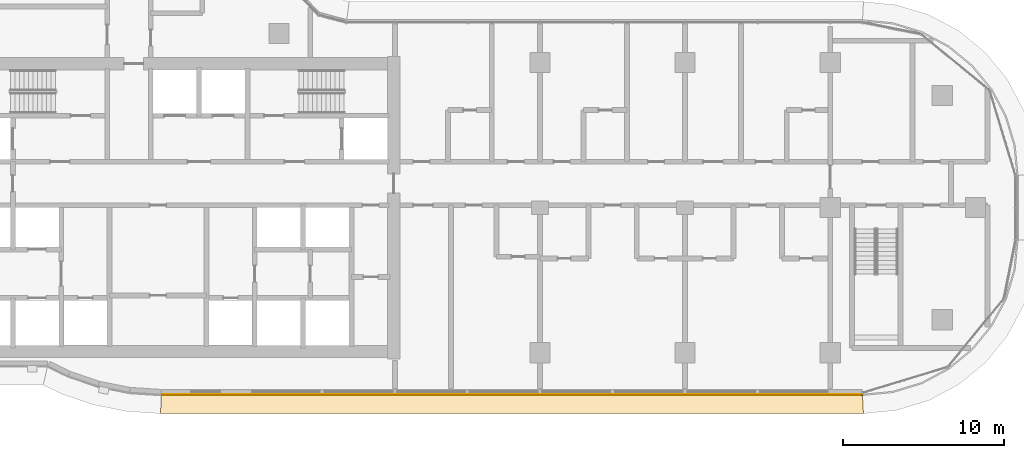
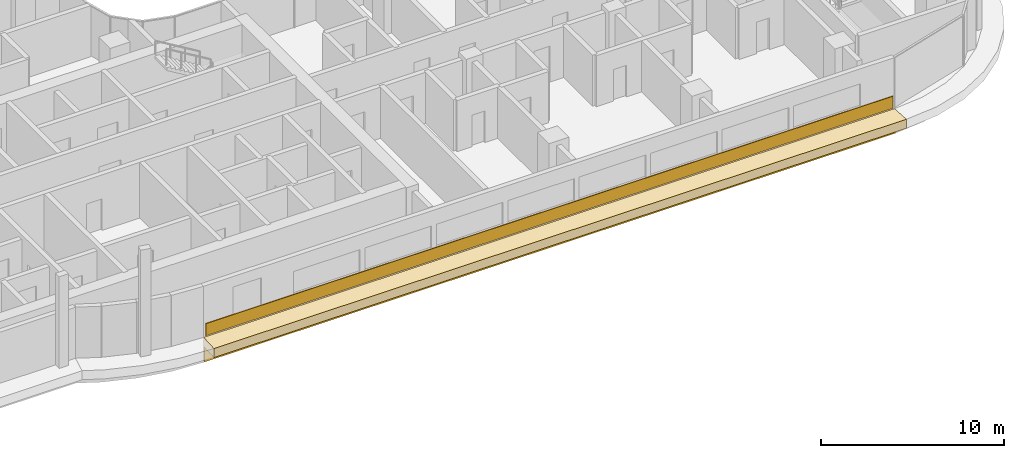
# One storey, part 21 of 25: 3 coverings.
"""IFC4 building model written with IfcOpenShell, lengths in metres."""

from ifc_helpers import new_model, si_unit, direction, frame, origin, origin_2d, place, context, subcontext, project, spatial, polyline, rectangle, outline, extrude, material, layer, layer_set, type_object, element, save


model = new_model("IFC4")

# Units and contexts
model_context = context("Model", 3, precision=1e-05, world=origin(), true_north=direction((0.0, 1.0)))
body_context = subcontext(model_context, "Body", "Model", "MODEL_VIEW")
ifc_project = project(units=[si_unit("LENGTHUNIT", "METRE"), si_unit("AREAUNIT", "SQUARE_METRE"), si_unit("VOLUMEUNIT", "CUBIC_METRE"), si_unit("PLANEANGLEUNIT", "RADIAN"), si_unit("MASSUNIT", "GRAM", prefix="KILO")], contexts=[model_context])

# Site, building, storey
site_placement = place(None, origin())
site = spatial("IfcSite", under=ifc_project, at=site_placement, CompositionType="ELEMENT")
building_placement = place(site_placement, origin())
building = spatial("IfcBuilding", under=site, at=building_placement, Name="Ogive Portal Towers", CompositionType="ELEMENT")
storey_placement = place(building_placement, frame((0.0, 0.0, 116.699951171875)))
storey = spatial("IfcBuildingStorey", under=building, at=storey_placement, Name="L28", CompositionType="ELEMENT", Elevation=116.699951171875)

# Coverings
ifc_material = material(Name="Limestone cladding on lightweight block wall", Category="masonry")
ifc_layer_1 = layer(ifc_material, 0.050048828125)
ifc_layer_set_1 = layer_set([ifc_layer_1], Name="SCREEN PERFORATED STONE")
covering_type_1 = type_object("IfcCoveringType", Name="SCREEN PERFORATED STONE", PredefinedType="CLADDING", material=ifc_layer_set_1)
covering_1_placement = place(storey_placement, frame((65.7490234375, 18.89990234375, 0.10009765625), z_axis=(0.0, 0.0, 1.0), x_axis=(1.0, 0.0, 0.0)))
element("IfcCovering", 1, at=covering_1_placement, inside=storey, type_object=covering_type_1, Name="Tracery screen", PredefinedType="CLADDING", context=body_context, shape_type="SweptSolid", body=[
    extrude(rectangle(XDim=43.2783203125, YDim=0.050048828125, at=origin_2d()), origin(), (0.0, 0.0, 1.0), 0.800048828125),
])
ifc_layer_2 = layer(ifc_material, 0.080078125)
ifc_layer_set_2 = layer_set([ifc_layer_2], Name="STONE SPANDREL 80")
covering_type_2 = type_object("IfcCoveringType", Name="STONE SPANDREL 80", PredefinedType="CLADDING", material=ifc_layer_set_2)
covering_2_placement = place(storey_placement, frame((0.0, 0.0, -1.599853515625)))
element("IfcCovering", 2, at=covering_2_placement, inside=storey, type_object=covering_type_2, Name="Stone spandrel A1-F05", PredefinedType="CLADDING", context=body_context, shape_type="SweptSolid", body=[
    extrude(outline(polyline([(44.0, 18.925048828125), (87.5, 18.925048828125), (87.50390625, 18.844970703125), (43.997314453125, 18.844970703125), (44.0, 18.925048828125)])), origin(), (0.0, 0.0, 1.0), 1.0),
])
ifc_layer_3 = layer(ifc_material, 0.60009765625)
ifc_layer_set_3 = layer_set([ifc_layer_3], Name="SUNSHADE LIP 600")
covering_type_3 = type_object("IfcCoveringType", Name="SUNSHADE LIP 600", PredefinedType="CLADDING", material=ifc_layer_set_3)
covering_3_placement = place(storey_placement, frame((0.0, 0.0, -0.599853515625)))
element("IfcCovering", 3, at=covering_3_placement, inside=storey, type_object=covering_type_3, Name="Sunshade lip A1-F05", PredefinedType="CLADDING", context=body_context, shape_type="SweptSolid", body=[
    extrude(outline(polyline([(44.0, 18.925048828125), (87.5, 18.925048828125), (87.558837890625, 17.72509765625), (43.960693359375, 17.72509765625), (44.0, 18.925048828125)])), origin(), (0.0, 0.0, 1.0), 0.599853515625),
])

save(model, "model.ifc")
